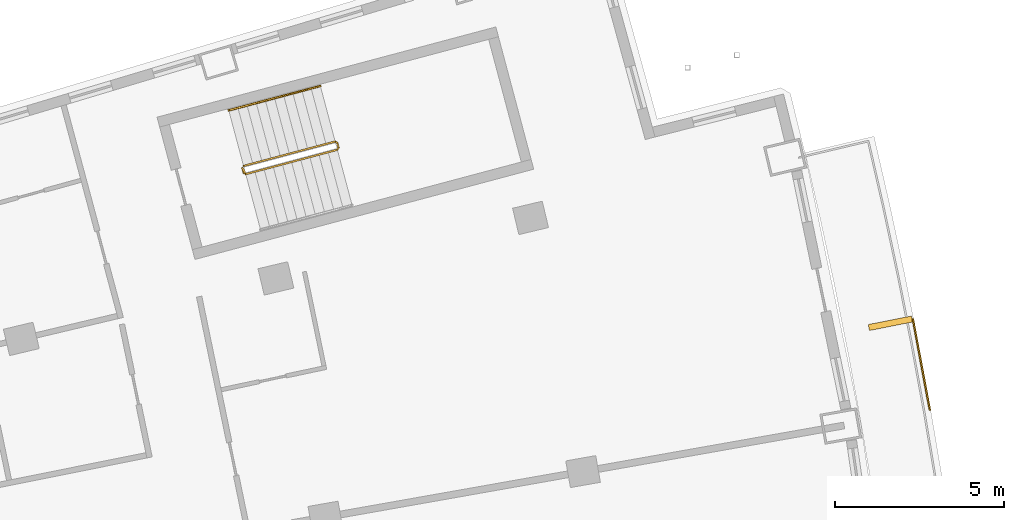
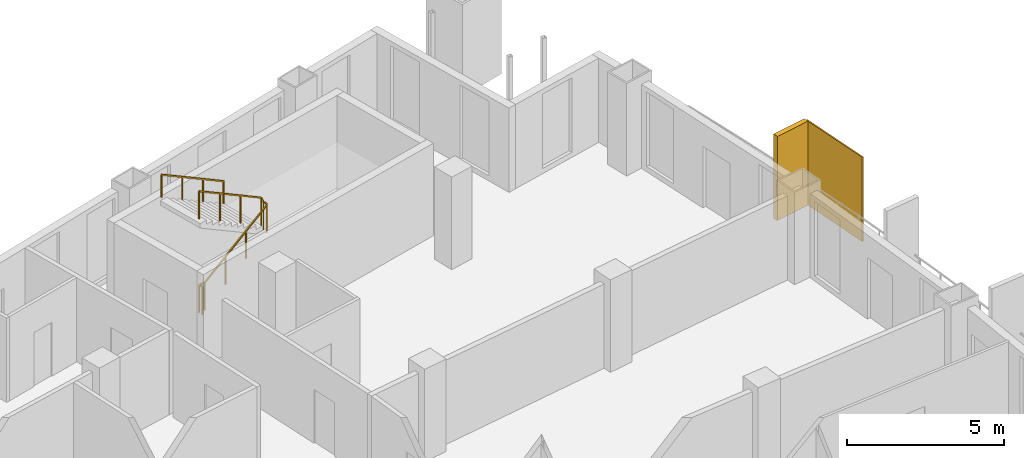
# One storey, part 19 of 19: 2 railings, 2 shading devices.
"""IFC4 building model written with IfcOpenShell, lengths in metres."""

from ifc_helpers import new_model, si_unit, direction, frame, origin, origin_2d, place, context, subcontext, project, spatial, rectangle, extrude, material, layer, layer_set, type_object, element, save


model = new_model("IFC4")

# Units and contexts
model_context = context("Model", 3, precision=1e-05, world=origin(), true_north=direction((0.0, 1.0)))
body_context = subcontext(model_context, "Body", "Model", "MODEL_VIEW")
ifc_project = project(units=[si_unit("LENGTHUNIT", "METRE"), si_unit("AREAUNIT", "SQUARE_METRE"), si_unit("VOLUMEUNIT", "CUBIC_METRE"), si_unit("PLANEANGLEUNIT", "RADIAN"), si_unit("MASSUNIT", "GRAM", prefix="KILO")], contexts=[model_context])

# Site, building, storey
site_placement = place(None, origin())
site = spatial("IfcSite", under=ifc_project, at=site_placement, CompositionType="ELEMENT")
building_placement = place(site_placement, origin())
building = spatial("IfcBuilding", under=site, at=building_placement, Name="Alderwake Tower", CompositionType="ELEMENT")
storey_placement = place(building_placement, frame((0.0, 0.0, 174.800048828125)))
storey = spatial("IfcBuildingStorey", under=building, at=storey_placement, Name="L43", CompositionType="ELEMENT", Elevation=174.800048828125)

# Shading devices
ifc_material_1 = material(Name="Bronze anodised aluminium", Category="aluminium")
ifc_layer_1 = layer(ifc_material_1, 0.179931640625)
ifc_layer_set_1 = layer_set([ifc_layer_1], Name="Facade fin 1300")
shading_device_type_1 = type_object("IfcShadingDeviceType", Name="Facade fin 1300", PredefinedType="USERDEFINED", material=ifc_layer_set_1)
shading_device_1_placement = place(storey_placement, frame((58.343994140625, 88.238037109375, 0.0), z_axis=(0.0, 0.0, 1.0), x_axis=(0.981163751315, 0.193177879441, 0.0)))
element("IfcShadingDevice", 1, at=shading_device_1_placement, inside=storey, type_object=shading_device_type_1, Name="Fin", ObjectType="FIN", PredefinedType="USERDEFINED", context=body_context, shape_type="SweptSolid", body=[
    extrude(rectangle(XDim=1.300048828125, YDim=0.179931640625, at=origin_2d()), origin(), (0.0, 0.0, 1.0), 3.280029296875),
])
ifc_material_2 = material(Name="Perforated bronze anodised aluminium", Category="aluminium")
ifc_layer_2 = layer(ifc_material_2, 0.050048828125)
ifc_layer_set_2 = layer_set([ifc_layer_2], Name="Perforated screen panel")
shading_device_type_2 = type_object("IfcShadingDeviceType", Name="Perforated screen panel", PredefinedType="USERDEFINED", material=ifc_layer_set_2)
shading_device_2_placement = place(storey_placement, frame((59.2587890625, 87.017578125, 0.0), z_axis=(0.0, 0.0, 1.0), x_axis=(0.982991488043, 0.183651121519, 0.0)))
element("IfcShadingDevice", 2, at=shading_device_2_placement, inside=storey, type_object=shading_device_type_2, Name="Screen panel", ObjectType="SCREEN", PredefinedType="USERDEFINED", context=body_context, shape_type="SweptSolid", body=[
    extrude(rectangle(XDim=0.050048828125, YDim=2.74853515625, at=origin_2d()), origin(), (0.0, 0.0, 1.0), 3.280029296875),
])

# Railings
ifc_material_3 = material(Name="Stainless steel guard", Category="steel")
railing_type_1 = type_object("IfcRailingType", Name="Stair guard 1100", PredefinedType="GUARDRAIL", material=ifc_material_3)
railing_1_placement = place(storey_placement, frame((39.23291015625, 92.6806640625, 0.0)))
element("IfcRailing", 3, at=railing_1_placement, inside=storey, type_object=railing_type_1, Name="L43 ST-A stair guard 1", PredefinedType="GUARDRAIL", context=body_context, shape_type="SweptSolid", body=[
    extrude(rectangle(XDim=0.048095703125, YDim=0.048095703125, at=origin_2d()), frame((0.0, 0.0, 1.076171875), z_axis=(-0.257055032184, 0.966396766566, 0.0), x_axis=(-0.966396766566, -0.257055032184, 0.0)), (0.0, 0.0, 1.0), 0.150146484375),
    extrude(rectangle(XDim=0.048095703125, YDim=0.048095703125, at=origin_2d()), frame((-0.03857421875, 0.14501953125, 1.076171875), z_axis=(0.379370725808, -0.685464465458, 0.621463047167), x_axis=(0.874937996095, 0.484234966715, 0.0)), (0.0, 0.0, 1.0), 0.26318359375),
    extrude(rectangle(XDim=0.048095703125, YDim=0.048095703125, at=origin_2d()), frame((0.061279296875, -0.035400390625, 1.23974609375), z_axis=(0.834258940753, 0.22222815314, 0.504605457487), x_axis=(-0.257402139082, 0.966304371715, 0.0)), (0.0, 0.0, 1.0), 3.2431640625),
    extrude(rectangle(XDim=0.048095703125, YDim=0.048095703125, at=origin_2d()), frame((2.766845703125, 0.685302734375, 2.8759765625), z_axis=(0.500220121494, 0.865898279276, 0.0), x_axis=(-0.865898279276, 0.500220121494, 0.0)), (0.0, 0.0, 1.0), 0.07080078125),
    extrude(rectangle(XDim=0.048095703125, YDim=0.048095703125, at=origin_2d()), frame((2.80224609375, 0.74658203125, 2.8759765625), z_axis=(-0.257459803502, 0.966289009345, 0.0), x_axis=(-0.966289009345, -0.257459803502, 0.0)), (0.0, 0.0, 1.0), 0.14990234375),
    extrude(rectangle(XDim=0.048095703125, YDim=0.048095703125, at=origin_2d()), frame((2.763671875, 0.891357421875, 2.8759765625), z_axis=(-0.34252489212, 0.200034536998, 0.917966710881), x_axis=(-0.504300490226, -0.863528236688, 0.0)), (0.0, 0.0, 1.0), 0.17822265625),
    extrude(rectangle(XDim=0.048095703125, YDim=0.048095703125, at=origin_2d()), frame((2.70263671875, 0.927001953125, 3.03955078125), z_axis=(-0.834313512087, -0.222222637163, 0.504517653885), x_axis=(0.257380452725, -0.966310148221, 0.0)), (0.0, 0.0, 1.0), 3.2431640625),
    extrude(rectangle(XDim=0.0419921875, YDim=0.0419921875, at=origin_2d()), frame((0.0, 0.0, 0.0), z_axis=(0.0, 0.0, 1.0), x_axis=(-0.257055032184, 0.966396766566, 0.0)), (0.0, 0.0, 1.0), 1.052001953125),
    extrude(rectangle(XDim=0.0419921875, YDim=0.0419921875, at=origin_2d()), frame((-0.03857421875, 0.14501953125, 0.0), z_axis=(0.0, 0.0, 1.0), x_axis=(0.484234966715, -0.874937996095, 0.0)), (0.0, 0.0, 1.0), 1.052001953125),
    extrude(rectangle(XDim=0.0419921875, YDim=0.0419921875, at=origin_2d()), frame((0.061279296875, -0.035400390625, 0.16357421875), z_axis=(0.0, 0.0, 1.0), x_axis=(0.966304371715, 0.257402139082, 0.0)), (0.0, 0.0, 1.0), 1.052001953125),
    extrude(rectangle(XDim=0.0419921875, YDim=0.0419921875, at=origin_2d()), frame((0.963134765625, 0.204833984375, 0.708984375), z_axis=(0.0, 0.0, 1.0), x_axis=(0.966304371715, 0.257402139082, 0.0)), (0.0, 0.0, 1.0), 1.052001953125),
    extrude(rectangle(XDim=0.0419921875, YDim=0.0419921875, at=origin_2d()), frame((1.864990234375, 0.445068359375, 1.254638671875), z_axis=(0.0, 0.0, 1.0), x_axis=(0.966304371715, 0.257402139082, 0.0)), (0.0, 0.0, 1.0), 1.052001953125),
    extrude(rectangle(XDim=0.0419921875, YDim=0.0419921875, at=origin_2d()), frame((2.766845703125, 0.685302734375, 1.800048828125), z_axis=(0.0, 0.0, 1.0), x_axis=(0.500220121494, 0.865898279276, 0.0)), (0.0, 0.0, 1.0), 1.052001953125),
    extrude(rectangle(XDim=0.0419921875, YDim=0.0419921875, at=origin_2d()), frame((2.80224609375, 0.74658203125, 1.800048828125), z_axis=(0.0, 0.0, 1.0), x_axis=(-0.257459803502, 0.966289009345, 0.0)), (0.0, 0.0, 1.0), 1.052001953125),
    extrude(rectangle(XDim=0.0419921875, YDim=0.0419921875, at=origin_2d()), frame((2.763671875, 0.891357421875, 1.800048828125), z_axis=(0.0, 0.0, 1.0), x_axis=(-0.863528236688, 0.504300490226, 0.0)), (0.0, 0.0, 1.0), 1.052001953125),
    extrude(rectangle(XDim=0.0419921875, YDim=0.0419921875, at=origin_2d()), frame((2.70263671875, 0.927001953125, 1.963623046875), z_axis=(0.0, 0.0, 1.0), x_axis=(-0.966310148221, -0.257380452725, 0.0)), (0.0, 0.0, 1.0), 1.052001953125),
    extrude(rectangle(XDim=0.0419921875, YDim=0.0419921875, at=origin_2d()), frame((1.80078125, 0.686767578125, 2.509033203125), z_axis=(0.0, 0.0, 1.0), x_axis=(-0.966310148221, -0.257380452725, 0.0)), (0.0, 0.0, 1.0), 1.052001953125),
    extrude(rectangle(XDim=0.0419921875, YDim=0.0419921875, at=origin_2d()), frame((0.898681640625, 0.446533203125, 3.054443359375), z_axis=(0.0, 0.0, 1.0), x_axis=(-0.966310148221, -0.257380452725, 0.0)), (0.0, 0.0, 1.0), 1.052001953125),
    extrude(rectangle(XDim=0.0419921875, YDim=0.0419921875, at=origin_2d()), frame((-0.003173828125, 0.206298828125, 3.599853515625), z_axis=(0.0, 0.0, 1.0), x_axis=(-0.966310148221, -0.257380452725, 0.0)), (0.0, 0.0, 1.0), 1.052001953125),
])
ifc_material_4 = material(Name="Stainless steel handrail", Category="steel")
railing_type_2 = type_object("IfcRailingType", Name="Stair handrail 900", PredefinedType="HANDRAIL", material=ifc_material_4)
railing_2_placement = place(storey_placement, frame((41.497802734375, 95.250244140625, 1.963623046875)))
element("IfcRailing", 4, at=railing_2_placement, inside=storey, type_object=railing_type_2, Name="L43 ST-A stair handrail 2", PredefinedType="HANDRAIL", context=body_context, shape_type="SweptSolid", body=[
    extrude(rectangle(XDim=0.048095703125, YDim=0.048095703125, at=origin_2d()), frame((0.0, 0.0, 0.8759765625), z_axis=(-0.834290631165, -0.222236594766, 0.504549342183), x_axis=(0.257402139082, -0.966304371715, 0.0)), (0.0, 0.0, 1.0), 3.242919921875),
    extrude(rectangle(XDim=0.0419921875, YDim=0.0419921875, at=origin_2d()), frame((0.0, 0.0, 0.0), z_axis=(0.0, 0.0, 1.0), x_axis=(-0.966304371715, -0.257402139082, 0.0)), (0.0, 0.0, 1.0), 0.851806640625),
    extrude(rectangle(XDim=0.0419921875, YDim=0.0419921875, at=origin_2d()), frame((-0.90185546875, -0.240234375, 0.54541015625), z_axis=(0.0, 0.0, 1.0), x_axis=(-0.966304371715, -0.257402139082, 0.0)), (0.0, 0.0, 1.0), 0.851806640625),
    extrude(rectangle(XDim=0.0419921875, YDim=0.0419921875, at=origin_2d()), frame((-1.8037109375, -0.48046875, 1.0908203125), z_axis=(0.0, 0.0, 1.0), x_axis=(-0.966304371715, -0.257402139082, 0.0)), (0.0, 0.0, 1.0), 0.851806640625),
    extrude(rectangle(XDim=0.0419921875, YDim=0.0419921875, at=origin_2d()), frame((-2.70556640625, -0.720703125, 1.63623046875), z_axis=(0.0, 0.0, 1.0), x_axis=(-0.966304371715, -0.257402139082, 0.0)), (0.0, 0.0, 1.0), 0.851806640625),
])

save(model, "model.ifc")
